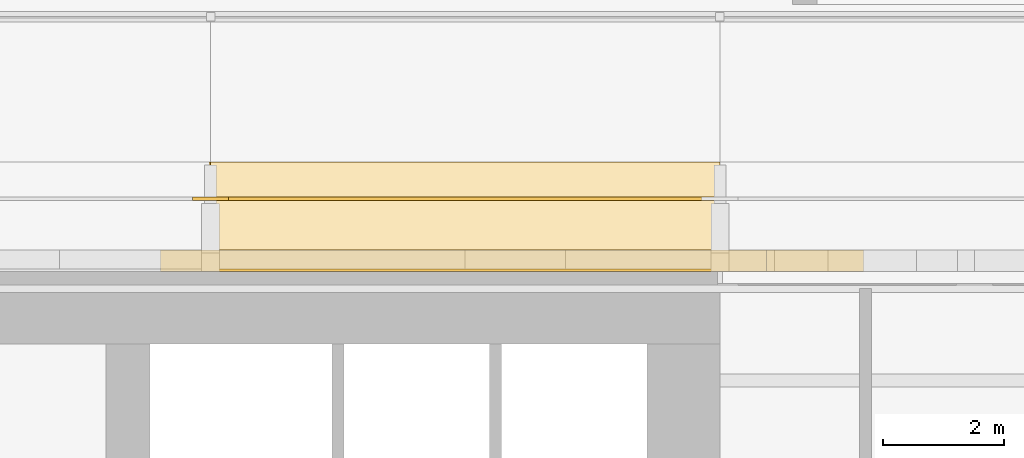
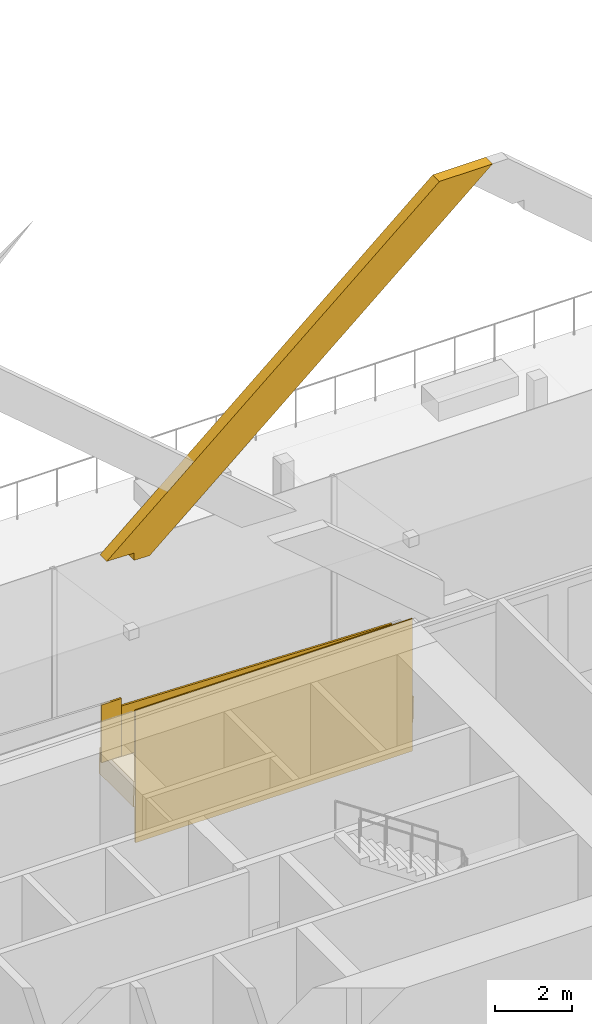
# One storey, part 53 of 60: 3 coverings, 2 railings.
"""IFC4 building model written with IfcOpenShell, lengths in metres."""

from ifc_helpers import new_model, si_unit, direction, frame, origin, origin_2d, place, context, subcontext, project, spatial, polyline, rectangle, outline, extrude, material, layer, layer_set, type_object, element, save


model = new_model("IFC4")

# Units and contexts
model_context = context("Model", 3, precision=1e-05, world=origin(), true_north=direction((0.0, 1.0)))
body_context = subcontext(model_context, "Body", "Model", "MODEL_VIEW")
ifc_project = project(units=[si_unit("LENGTHUNIT", "METRE"), si_unit("AREAUNIT", "SQUARE_METRE"), si_unit("VOLUMEUNIT", "CUBIC_METRE"), si_unit("PLANEANGLEUNIT", "RADIAN"), si_unit("MASSUNIT", "GRAM", prefix="KILO")], contexts=[model_context])

# Site, building, storey
site_placement = place(None, origin())
site = spatial("IfcSite", under=ifc_project, at=site_placement, CompositionType="ELEMENT")
building_placement = place(site_placement, origin())
building = spatial("IfcBuilding", under=site, at=building_placement, Name="Saffron Gate Tower", CompositionType="ELEMENT")
storey_placement = place(building_placement, frame((0.0, 0.0, 19.199951171875)))
storey = spatial("IfcBuildingStorey", under=building, at=storey_placement, Name="L03", CompositionType="ELEMENT", Elevation=19.199951171875)

# Coverings
ifc_material_1 = material(Name="Ceramic-printed bronze insulated panel")
ifc_layer_1 = layer(ifc_material_1, 0.0400390625)
ifc_layer_set_1 = layer_set([ifc_layer_1], Name="CLD1 ceramic-printed cladding panel 40")
covering_type_1 = type_object("IfcCoveringType", Name="CLD1 ceramic-printed cladding panel 40", PredefinedType="CLADDING", material=ifc_layer_set_1)
covering_1_placement = place(storey_placement, origin())
element("IfcCovering", 1, at=covering_1_placement, inside=storey, type_object=covering_type_1, Name="CLADDING ceramic-printed panel", PredefinedType="CLADDING", context=body_context, shape_type="SweptSolid", body=[
    extrude(outline(polyline([(108.56005859375, 75.639892578125), (100.239990234375, 75.639892578125), (100.239990234375, 75.60009765625), (108.56005859375, 75.60009765625), (108.56005859375, 75.639892578125)])), origin(), (0.0, 0.0, 1.0), 4.199951171875),
])
ifc_material_2 = material(Name="Timber, thermally modified ash", Category="wood")
ifc_layer_2 = layer(ifc_material_2, 0.800048828125)
ifc_layer_set_2 = layer_set([ifc_layer_2], Name="LD1 ledge timber")
covering_type_2 = type_object("IfcCoveringType", Name="LD1 ledge timber", PredefinedType="CLADDING", material=ifc_layer_set_2)
covering_2_placement = place(storey_placement, frame((108.60009765625, 75.60009765625, 1.711181640625), z_axis=(0.028790339263, 0.0, 0.999585472266), x_axis=(-0.999585472266, 0.0, 0.028790339263)))
element("IfcCovering", 2, at=covering_2_placement, inside=storey, type_object=covering_type_2, Name="LEDGE", PredefinedType="CLADDING", context=body_context, shape_type="SweptSolid", body=[
    extrude(outline(polyline([(0.0, 0.0), (8.403630022085892, 0.0), (8.403630022085892, -1.7998046875), (0.0, -1.7998046875), (0.0, 0.0)])), origin(), (0.0, 0.0, -1.0), 0.800048828125),
])

# Railings
railing_type = type_object("IfcRailingType", Name="LG1 ledge balustrade", PredefinedType="BALUSTRADE", material=ifc_material_2)
railing_1_placement = place(storey_placement, frame((108.60009765625, 76.800048828125, 1.711181640625)))
element("IfcRailing", 3, at=railing_1_placement, inside=storey, type_object=railing_type, Name="LEDGE BALUSTRADE", PredefinedType="BALUSTRADE", context=body_context, shape_type="SweptSolid", body=[
    extrude(rectangle(XDim=0.06005859375, YDim=1.60009765625, at=origin_2d()), frame((0.0, 0.0, 0.800048828125), z_axis=(-0.999585472266, 0.0, 0.028790339263), x_axis=(0.0, -1.0, 0.0)), (0.0, 0.0, 1.0), 8.403564453125),
])
railing_2_placement = place(storey_placement, frame((100.5, 76.800048828125, 1.953125)))
element("IfcRailing", 4, at=railing_2_placement, inside=storey, type_object=railing_type, Name="LEDGE BALUSTRADE", PredefinedType="BALUSTRADE", context=body_context, shape_type="SweptSolid", body=[
    extrude(rectangle(XDim=0.06005859375, YDim=1.8310546875, at=origin_2d()), frame((0.0, 0.0, 0.91552734375), z_axis=(-1.0, 0.0, 0.0), x_axis=(0.0, -1.0, 0.0)), (0.0, 0.0, 1.0), 0.60009765625),
])

# Covering
ifc_layer_3 = layer(ifc_material_1, 0.35009765625)
ifc_layer_set_3 = layer_set([ifc_layer_3], Name="LZ1 lozenge lattice bar 1600")
covering_type_3 = type_object("IfcCoveringType", Name="LZ1 lozenge lattice bar 1600", PredefinedType="CLADDING", material=ifc_layer_set_3)
covering_3_placement = place(storey_placement, frame((100.66357421875, 75.949951171875, 8.96875), z_axis=(0.0, 1.0, 0.0), x_axis=(-0.999580847237, 0.0, 0.028950472142)))
element("IfcCovering", 5, at=covering_3_placement, inside=storey, type_object=covering_type_3, Name="CLADDING lozenge lattice bar", PredefinedType="CLADDING", context=body_context, shape_type="SweptSolid", body=[
    extrude(outline(polyline([(0.0, 0.0), (0.46381745724379975, 0.0), (0.47050377234304674, 0.23086022497218325), (1.2943305285753945, 0.23069162137021876), (-8.443806790405208, 9.079556742681545), (-10.042989723008503, 9.125873257317238), (0.0, 0.0)])), origin(), (0.0, 0.0, -1.0), 0.35009765625),
])

save(model, "model.ifc")
